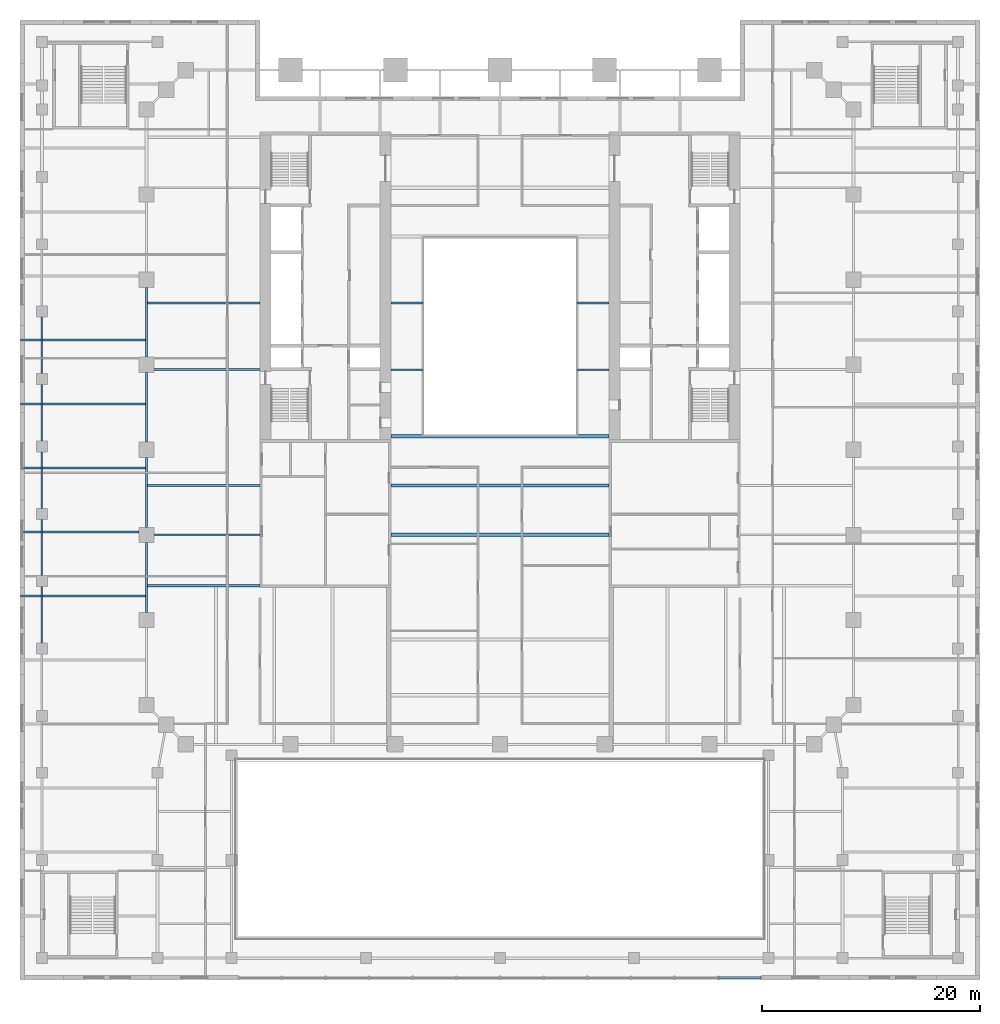
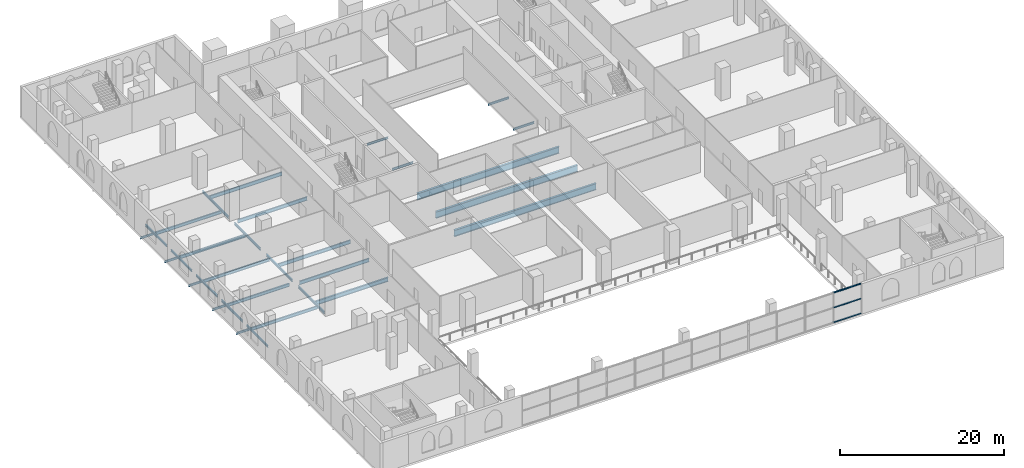
# One storey, part 4 of 19: 31 beams, 3 members, 1 element without a shape of its own.
"""IFC4 building model written with IfcOpenShell, lengths in metres."""

from ifc_helpers import new_model, si_unit, direction, frame, origin, origin_2d, place, context, subcontext, project, spatial, rectangle, i_section, extrude, material, material_profile, profile_set, type_object, element, aggregate, save


model = new_model("IFC4")

# Units and contexts
model_context = context("Model", 3, precision=1e-05, world=origin(), true_north=direction((0.0, 1.0)))
body_context = subcontext(model_context, "Body", "Model", "MODEL_VIEW")
ifc_project = project(units=[si_unit("LENGTHUNIT", "METRE"), si_unit("AREAUNIT", "SQUARE_METRE"), si_unit("VOLUMEUNIT", "CUBIC_METRE"), si_unit("PLANEANGLEUNIT", "RADIAN"), si_unit("MASSUNIT", "GRAM", prefix="KILO")], contexts=[model_context])

# Site, building, storey
site_placement = place(None, origin())
site = spatial("IfcSite", under=ifc_project, at=site_placement, CompositionType="ELEMENT")
building_placement = place(site_placement, origin())
building = spatial("IfcBuilding", under=site, at=building_placement, Name="Ogive Exchange Tower", CompositionType="ELEMENT")
storey_placement = place(building_placement, frame((0.0, 0.0, 24.0)))
storey = spatial("IfcBuildingStorey", under=building, at=storey_placement, Name="L04", CompositionType="ELEMENT", Elevation=24.0)

# Beams
ifc_material_1 = material(Name="Steel ASTM A992 Gr50", Category="steel")
ifc_material_profile_1 = material_profile(ifc_material_1, i_section(OverallWidth=0.300048828125, OverallDepth=0.969970703125, WebThickness=0.01611328125, FlangeThickness=0.02099609375, at=origin_2d()), Name="W1000x222")
ifc_profile_set_1 = profile_set([ifc_material_profile_1], Name="Steel ASTM A992 Gr50")
beam_type_1 = type_object("IfcBeamType", Name="Floor beam W1000x222", PredefinedType="JOIST", material=ifc_profile_set_1)
for number, where, z_axis, x_axis, name in (
    (1, (-10.0, -11.17822265625, -0.784912109375), (1.0, 0.0, 0.0), (0.0, 1.0, 0.0), "Floor beam"),
    (2, (-10.0, -6.666748046875, -0.784912109375), (1.0, 0.0, 0.0), (0.0, 1.0, 0.0), "Floor beam"),
):
    element("IfcBeam", number, at=place(storey_placement, frame(where, z_axis=z_axis, x_axis=x_axis)), inside=storey, type_object=beam_type_1, Name=name, PredefinedType="JOIST", context=body_context, shape_type="SweptSolid", body=[
        extrude(i_section(OverallWidth=0.300048828125, OverallDepth=0.969970703125, WebThickness=0.01611328125, FlangeThickness=0.02099609375, at=origin_2d()), origin(), (0.0, 0.0, 1.0), 20.0),
    ])
ifc_material_profile_2 = material_profile(ifc_material_1, i_section(OverallWidth=0.1650390625, OverallDepth=0.31005859375, WebThickness=0.005859375, FlangeThickness=0.009765625, at=origin_2d()), Name="W310x38.7")
ifc_profile_set_2 = profile_set([ifc_material_profile_2], Name="Steel ASTM A992 Gr50")
beam_type_2 = type_object("IfcBeamType", Name="Floor beam W310x38.7", PredefinedType="JOIST", material=ifc_profile_set_2)
for number, where, z_axis, x_axis, name in (
    (3, (-10.0, 3.9482421875, -0.455078125), (1.0, 0.0, 0.0), (0.0, 1.0, 0.0), "Floor beam"),
    (4, (7.050048828125, 3.9482421875, -0.455078125), (1.0, 0.0, 0.0), (0.0, 1.0, 0.0), "Floor beam"),
    (5, (-10.0, 10.0517578125, -0.455078125), (1.0, 0.0, 0.0), (0.0, 1.0, 0.0), "Floor beam"),
    (6, (7.050048828125, 10.0517578125, -0.455078125), (1.0, 0.0, 0.0), (0.0, 1.0, 0.0), "Floor beam"),
):
    element("IfcBeam", number, at=place(storey_placement, frame(where, z_axis=z_axis, x_axis=x_axis)), inside=storey, type_object=beam_type_2, Name=name, PredefinedType="JOIST", context=body_context, shape_type="SweptSolid", body=[
        extrude(i_section(OverallWidth=0.1650390625, OverallDepth=0.31005859375, WebThickness=0.005859375, FlangeThickness=0.009765625, at=origin_2d()), origin(), (0.0, 0.0, 1.0), 2.949951171875),
    ])
for number, where, z_axis, x_axis, name in (
    (7, (-43.949951171875, -16.800048828125, -0.455078125), (1.0, 0.0, 0.0), (0.0, 1.0, 0.0), "Floor beam"),
    (8, (-43.949951171875, -10.933349609375, -0.455078125), (1.0, 0.0, 0.0), (0.0, 1.0, 0.0), "Floor beam"),
    (9, (-43.949951171875, -5.066650390625, -0.455078125), (1.0, 0.0, 0.0), (0.0, 1.0, 0.0), "Floor beam"),
    (10, (-43.949951171875, 0.800048828125, -0.455078125), (1.0, 0.0, 0.0), (0.0, 1.0, 0.0), "Floor beam"),
    (11, (-43.949951171875, 6.666748046875, -0.455078125), (1.0, 0.0, 0.0), (0.0, 1.0, 0.0), "Floor beam"),
):
    element("IfcBeam", number, at=place(storey_placement, frame(where, z_axis=z_axis, x_axis=x_axis)), inside=storey, type_object=beam_type_2, Name=name, PredefinedType="JOIST", context=body_context, shape_type="SweptSolid", body=[
        extrude(i_section(OverallWidth=0.1650390625, OverallDepth=0.31005859375, WebThickness=0.005859375, FlangeThickness=0.009765625, at=origin_2d()), origin(), (0.0, 0.0, 1.0), 1.867431640625),
    ])
ifc_material_profile_3 = material_profile(ifc_material_1, i_section(OverallWidth=0.19091796875, OverallDepth=0.45703125, WebThickness=0.009033203125, FlangeThickness=0.014404296875, at=origin_2d()), Name="W460x74")
ifc_profile_set_3 = profile_set([ifc_material_profile_3], Name="Steel ASTM A992 Gr50")
beam_type_3 = type_object("IfcBeamType", Name="Floor beam W460x74", PredefinedType="JOIST", material=ifc_profile_set_3)
beam_1_placement = place(storey_placement, frame((-41.91748046875, -16.800048828125, -0.528564453125), z_axis=(1.0, 0.0, 0.0), x_axis=(0.0, 1.0, 0.0)))
element("IfcBeam", 12, at=beam_1_placement, inside=storey, type_object=beam_type_3, Name="Floor beam", PredefinedType="JOIST", context=body_context, shape_type="SweptSolid", body=[
    extrude(i_section(OverallWidth=0.19091796875, OverallDepth=0.45703125, WebThickness=0.009033203125, FlangeThickness=0.014404296875, at=origin_2d()), origin(), (0.0, 0.0, 1.0), 9.431884765625),
])
beam_2_placement = place(storey_placement, frame((-41.91748046875, -10.933349609375, -0.528564453125), z_axis=(1.0, 0.0, 0.0), x_axis=(0.0, 1.0, 0.0)))
element("IfcBeam", 13, at=beam_2_placement, inside=storey, type_object=beam_type_3, Name="Floor beam", PredefinedType="JOIST", context=body_context, shape_type="SweptSolid", body=[
    extrude(i_section(OverallWidth=0.19091796875, OverallDepth=0.45703125, WebThickness=0.009033203125, FlangeThickness=0.014404296875, at=origin_2d()), origin(), (0.0, 0.0, 1.0), 8.8173828125),
])
for number, where, z_axis, x_axis, name in (
    (14, (-41.91748046875, -5.066650390625, -0.528564453125), (1.0, 0.0, 0.0), (0.0, 1.0, 0.0), "Floor beam"),
    (15, (-41.91748046875, 0.800048828125, -0.528564453125), (1.0, 0.0, 0.0), (0.0, 1.0, 0.0), "Floor beam"),
    (16, (-41.91748046875, 6.666748046875, -0.528564453125), (1.0, 0.0, 0.0), (0.0, 1.0, 0.0), "Floor beam"),
):
    element("IfcBeam", number, at=place(storey_placement, frame(where, z_axis=z_axis, x_axis=x_axis)), inside=storey, type_object=beam_type_3, Name=name, PredefinedType="JOIST", context=body_context, shape_type="SweptSolid", body=[
        extrude(i_section(OverallWidth=0.19091796875, OverallDepth=0.45703125, WebThickness=0.009033203125, FlangeThickness=0.014404296875, at=origin_2d()), origin(), (0.0, 0.0, 1.0), 9.431884765625),
    ])
ifc_material_profile_4 = material_profile(ifc_material_1, i_section(OverallWidth=0.1669921875, OverallDepth=0.535888671875, WebThickness=0.01025390625, FlangeThickness=0.0166015625, at=origin_2d()), Name="W530x85")
ifc_profile_set_4 = profile_set([ifc_material_profile_4], Name="Steel ASTM A992 Gr50")
beam_type_4 = type_object("IfcBeamType", Name="Floor beam W530x85", PredefinedType="JOIST", material=ifc_profile_set_4)
beam_3_placement = place(storey_placement, frame((-31.800048828125, -11.17822265625, -0.568115234375), z_axis=(1.0, 0.0, 0.0), x_axis=(0.0, 1.0, 0.0)))
element("IfcBeam", 17, at=beam_3_placement, inside=storey, type_object=beam_type_4, Name="Floor beam", PredefinedType="JOIST", context=body_context, shape_type="SweptSolid", body=[
    extrude(i_section(OverallWidth=0.1669921875, OverallDepth=0.535888671875, WebThickness=0.01025390625, FlangeThickness=0.0166015625, at=origin_2d()), origin(), (0.0, 0.0, 1.0), 9.800048828125),
])
beam_4_placement = place(storey_placement, frame((-32.344970703125, -6.666748046875, -0.568115234375), z_axis=(1.0, 0.0, 0.0), x_axis=(0.0, 1.0, 0.0)))
element("IfcBeam", 18, at=beam_4_placement, inside=storey, type_object=beam_type_4, Name="Floor beam", PredefinedType="JOIST", context=body_context, shape_type="SweptSolid", body=[
    extrude(i_section(OverallWidth=0.1669921875, OverallDepth=0.535888671875, WebThickness=0.01025390625, FlangeThickness=0.0166015625, at=origin_2d()), origin(), (0.0, 0.0, 1.0), 10.344970703125),
])
beam_5_placement = place(storey_placement, frame((-31.800048828125, 3.9482421875, -0.568115234375), z_axis=(1.0, 0.0, 0.0), x_axis=(0.0, 1.0, 0.0)))
element("IfcBeam", 19, at=beam_5_placement, inside=storey, type_object=beam_type_4, Name="Floor beam", PredefinedType="JOIST", context=body_context, shape_type="SweptSolid", body=[
    extrude(i_section(OverallWidth=0.1669921875, OverallDepth=0.535888671875, WebThickness=0.01025390625, FlangeThickness=0.0166015625, at=origin_2d()), origin(), (0.0, 0.0, 1.0), 9.800048828125),
])
beam_6_placement = place(storey_placement, frame((-32.344970703125, 10.0517578125, -0.568115234375), z_axis=(1.0, 0.0, 0.0), x_axis=(0.0, 1.0, 0.0)))
element("IfcBeam", 20, at=beam_6_placement, inside=storey, type_object=beam_type_4, Name="Floor beam", PredefinedType="JOIST", context=body_context, shape_type="SweptSolid", body=[
    extrude(i_section(OverallWidth=0.1669921875, OverallDepth=0.535888671875, WebThickness=0.01025390625, FlangeThickness=0.0166015625, at=origin_2d()), origin(), (0.0, 0.0, 1.0), 10.344970703125),
])

# Curtain wall, members
ifc_material_2 = material(Name="Anodised aluminium and clear glass", Category="aluminium")
curtain_wall_type = type_object("IfcCurtainWallType", Name="Galleria end wall glazing", PredefinedType="NOTDEFINED", material=ifc_material_2)
curtain_wall_placement = place(storey_placement, origin())
curtain_wall = element("IfcCurtainWall", 21, at=curtain_wall_placement, inside=storey, type_object=curtain_wall_type, Name="Galleria end wall glazing run GE9", PredefinedType="NOTDEFINED")
ifc_material_3 = material(Name="Anodised aluminium", Category="aluminium")
ifc_material_profile_5 = material_profile(ifc_material_3, rectangle(XDim=0.219970703125, YDim=0.080078125, at=origin_2d()), Name="AL 80x220")
ifc_profile_set_5 = profile_set([ifc_material_profile_5], Name="Anodised aluminium")
member_type = type_object("IfcMemberType", Name="Galleria end wall glazing transom 80 x 220", PredefinedType="USERDEFINED", material=ifc_profile_set_5)
member_1_placement = place(storey_placement, frame((20.0400390625, -51.800048828125, 0.0400390625), z_axis=(1.0, 0.0, 0.0), x_axis=(0.0, 1.0, 0.0)))
member_1 = element("IfcMember", 22, at=member_1_placement, type_object=member_type, Name="GE9 transom 2.1", ObjectType="TRANSOM", PredefinedType="USERDEFINED", context=body_context, shape_type="SweptSolid", body=[
    extrude(rectangle(XDim=0.219970703125, YDim=0.080078125, at=origin_2d()), origin(), (0.0, 0.0, 1.0), 3.8798828125),
])
member_2_placement = place(storey_placement, frame((20.0400390625, -51.800048828125, 2.25), z_axis=(1.0, 0.0, 0.0), x_axis=(0.0, 1.0, 0.0)))
member_2 = element("IfcMember", 23, at=member_2_placement, type_object=member_type, Name="GE9 transom 2.2", ObjectType="TRANSOM", PredefinedType="USERDEFINED", context=body_context, shape_type="SweptSolid", body=[
    extrude(rectangle(XDim=0.219970703125, YDim=0.080078125, at=origin_2d()), origin(), (0.0, 0.0, 1.0), 3.8798828125),
])
member_3_placement = place(storey_placement, frame((20.0400390625, -51.800048828125, 4.4599609375), z_axis=(1.0, 0.0, 0.0), x_axis=(0.0, 1.0, 0.0)))
member_3 = element("IfcMember", 24, at=member_3_placement, type_object=member_type, Name="GE9 transom 2.3", ObjectType="TRANSOM", PredefinedType="USERDEFINED", context=body_context, shape_type="SweptSolid", body=[
    extrude(rectangle(XDim=0.219970703125, YDim=0.080078125, at=origin_2d()), origin(), (0.0, 0.0, 1.0), 3.8798828125),
])
aggregate(curtain_wall, [member_1, member_2, member_3])

# Beams
ifc_material_profile_6 = material_profile(ifc_material_1, i_section(OverallWidth=0.300048828125, OverallDepth=0.97998046875, WebThickness=0.0166015625, FlangeThickness=0.026123046875, at=origin_2d()), Name="W1000x249")
ifc_profile_set_6 = profile_set([ifc_material_profile_6], Name="Steel ASTM A992 Gr50")
beam_type_5 = type_object("IfcBeamType", Name="Girder W1000x249", PredefinedType="BEAM", material=ifc_profile_set_6)
beam_7_placement = place(storey_placement, frame((-10.0, -2.155029296875, -0.7900390625), z_axis=(1.0, 0.0, 0.0), x_axis=(0.0, 1.0, 0.0)))
element("IfcBeam", 25, at=beam_7_placement, inside=storey, type_object=beam_type_5, Name="Trimmer girder", PredefinedType="BEAM", context=body_context, shape_type="SweptSolid", body=[
    extrude(i_section(OverallWidth=0.300048828125, OverallDepth=0.97998046875, WebThickness=0.0166015625, FlangeThickness=0.026123046875, at=origin_2d()), origin(), (0.0, 0.0, 1.0), 20.0),
])
ifc_material_profile_7 = material_profile(ifc_material_1, i_section(OverallWidth=0.1650390625, OverallDepth=0.31005859375, WebThickness=0.005859375, FlangeThickness=0.009765625, at=origin_2d()), Name="W310x38.7")
ifc_profile_set_7 = profile_set([ifc_material_profile_7], Name="Steel ASTM A992 Gr50")
beam_type_6 = type_object("IfcBeamType", Name="Girder W310x38.7", PredefinedType="BEAM", material=ifc_profile_set_7)
beam_8_placement = place(storey_placement, frame((-42.0, -21.1201171875, -0.455078125), z_axis=(0.0, 1.0, 0.0), x_axis=(-1.0, 0.0, 0.0)))
element("IfcBeam", 26, at=beam_8_placement, inside=storey, type_object=beam_type_6, Name="Girder", PredefinedType="BEAM", context=body_context, shape_type="SweptSolid", body=[
    extrude(i_section(OverallWidth=0.1650390625, OverallDepth=0.31005859375, WebThickness=0.005859375, FlangeThickness=0.009765625, at=origin_2d()), origin(), (0.0, 0.0, 1.0), 5.18017578125),
])
beam_9_placement = place(storey_placement, frame((-42.0, -14.93994140625, -0.455078125), z_axis=(0.0, 1.0, 0.0), x_axis=(-1.0, 0.0, 0.0)))
element("IfcBeam", 27, at=beam_9_placement, inside=storey, type_object=beam_type_6, Name="Girder", PredefinedType="BEAM", context=body_context, shape_type="SweptSolid", body=[
    extrude(i_section(OverallWidth=0.1650390625, OverallDepth=0.31005859375, WebThickness=0.005859375, FlangeThickness=0.009765625, at=origin_2d()), origin(), (0.0, 0.0, 1.0), 5.169921875),
])
beam_10_placement = place(storey_placement, frame((-42.0, -8.77001953125, -0.455078125), z_axis=(0.0, 1.0, 0.0), x_axis=(-1.0, 0.0, 0.0)))
element("IfcBeam", 28, at=beam_10_placement, inside=storey, type_object=beam_type_6, Name="Girder", PredefinedType="BEAM", context=body_context, shape_type="SweptSolid", body=[
    extrude(i_section(OverallWidth=0.1650390625, OverallDepth=0.31005859375, WebThickness=0.005859375, FlangeThickness=0.009765625, at=origin_2d()), origin(), (0.0, 0.0, 1.0), 5.179931640625),
])
beam_11_placement = place(storey_placement, frame((-42.0, -2.590087890625, -0.455078125), z_axis=(0.0, 1.0, 0.0), x_axis=(-1.0, 0.0, 0.0)))
element("IfcBeam", 29, at=beam_11_placement, inside=storey, type_object=beam_type_6, Name="Girder", PredefinedType="BEAM", context=body_context, shape_type="SweptSolid", body=[
    extrude(i_section(OverallWidth=0.1650390625, OverallDepth=0.31005859375, WebThickness=0.005859375, FlangeThickness=0.009765625, at=origin_2d()), origin(), (0.0, 0.0, 1.0), 5.18017578125),
])
beam_12_placement = place(storey_placement, frame((-42.0, 3.590087890625, -0.455078125), z_axis=(0.0, 1.0, 0.0), x_axis=(-1.0, 0.0, 0.0)))
element("IfcBeam", 30, at=beam_12_placement, inside=storey, type_object=beam_type_6, Name="Girder", PredefinedType="BEAM", context=body_context, shape_type="SweptSolid", body=[
    extrude(i_section(OverallWidth=0.1650390625, OverallDepth=0.31005859375, WebThickness=0.005859375, FlangeThickness=0.009765625, at=origin_2d()), origin(), (0.0, 0.0, 1.0), 5.179931640625),
])
ifc_material_profile_8 = material_profile(ifc_material_1, i_section(OverallWidth=0.1708984375, OverallDepth=0.35595703125, WebThickness=0.00732421875, FlangeThickness=0.01171875, at=origin_2d()), Name="W360x51")
ifc_profile_set_8 = profile_set([ifc_material_profile_8], Name="Steel ASTM A992 Gr50")
beam_type_7 = type_object("IfcBeamType", Name="Girder W360x51", PredefinedType="BEAM", material=ifc_profile_set_8)
for number, where, z_axis, x_axis, name in (
    (31, (-32.39990234375, 11.5, -0.47802734375), (0.0, -1.0, 0.0), (1.0, 0.0, 0.0), "Girder"),
    (32, (-32.39990234375, 3.699951171875, -0.47802734375), (0.0, -1.0, 0.0), (1.0, 0.0, 0.0), "Girder"),
    (33, (-32.39990234375, -4.10009765625, -0.47802734375), (0.0, -1.0, 0.0), (1.0, 0.0, 0.0), "Girder"),
):
    element("IfcBeam", number, at=place(storey_placement, frame(where, z_axis=z_axis, x_axis=x_axis)), inside=storey, type_object=beam_type_7, Name=name, PredefinedType="BEAM", context=body_context, shape_type="SweptSolid", body=[
        extrude(i_section(OverallWidth=0.1708984375, OverallDepth=0.35595703125, WebThickness=0.00732421875, FlangeThickness=0.01171875, at=origin_2d()), origin(), (0.0, 0.0, 1.0), 6.39990234375),
    ])
beam_13_placement = place(storey_placement, frame((-32.39990234375, -11.89990234375, -0.47802734375), z_axis=(0.0, -1.0, 0.0), x_axis=(1.0, 0.0, 0.0)))
element("IfcBeam", 34, at=beam_13_placement, inside=storey, type_object=beam_type_7, Name="Girder", PredefinedType="BEAM", context=body_context, shape_type="SweptSolid", body=[
    extrude(i_section(OverallWidth=0.1708984375, OverallDepth=0.35595703125, WebThickness=0.00732421875, FlangeThickness=0.01171875, at=origin_2d()), origin(), (0.0, 0.0, 1.0), 6.400146484375),
])
ifc_material_profile_9 = material_profile(ifc_material_1, i_section(OverallWidth=0.22802734375, OverallDepth=0.60205078125, WebThickness=0.010498046875, FlangeThickness=0.014892578125, at=origin_2d()), Name="W610x101")
ifc_profile_set_9 = profile_set([ifc_material_profile_9], Name="Steel ASTM A992 Gr50")
beam_type_8 = type_object("IfcBeamType", Name="Girder W610x101", PredefinedType="BEAM", material=ifc_profile_set_9)
beam_14_placement = place(storey_placement, frame((-22.0, -15.844970703125, -0.60107421875), z_axis=(-1.0, 0.0, 0.0), x_axis=(0.0, -1.0, 0.0)))
element("IfcBeam", 35, at=beam_14_placement, inside=storey, type_object=beam_type_8, Name="Header girder", PredefinedType="BEAM", context=body_context, shape_type="SweptSolid", body=[
    extrude(i_section(OverallWidth=0.22802734375, OverallDepth=0.60205078125, WebThickness=0.010498046875, FlangeThickness=0.014892578125, at=origin_2d()), origin(), (0.0, 0.0, 1.0), 10.344970703125),
])

save(model, "model.ifc")
